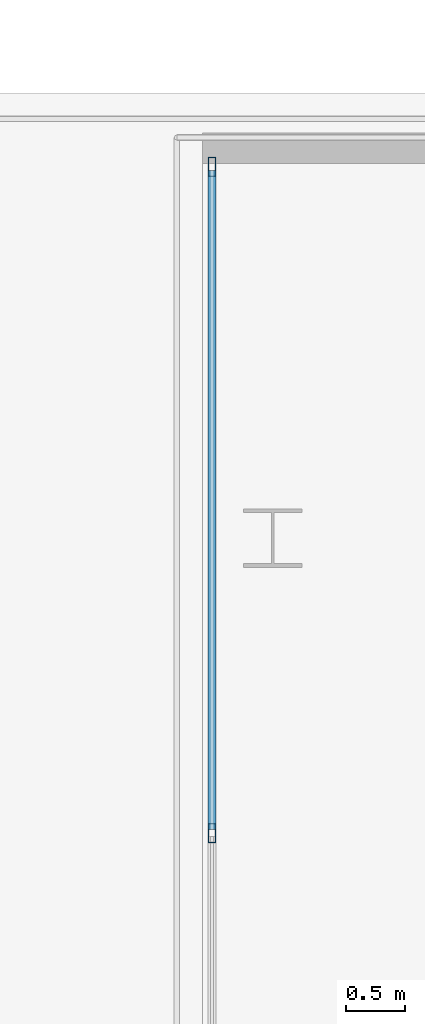
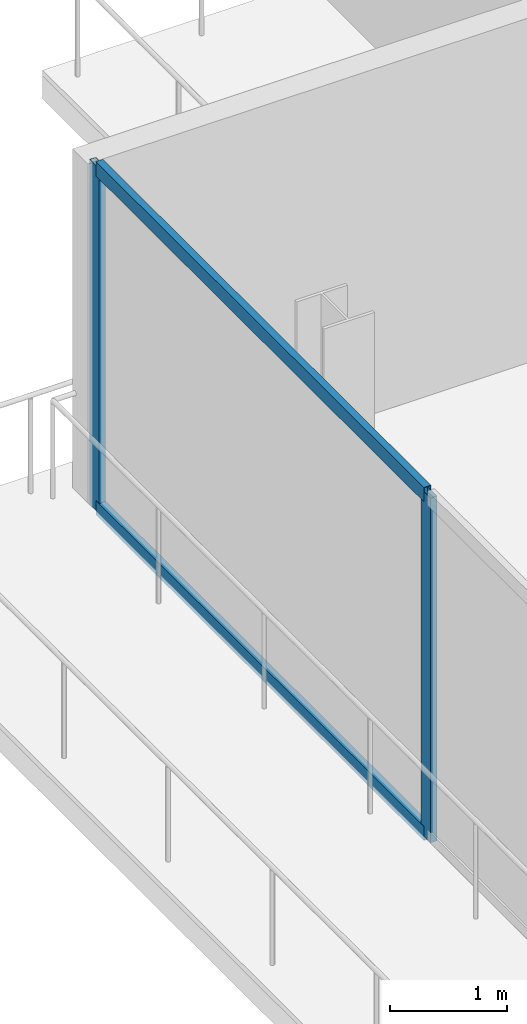
# One storey, part 12 of 21: 4 members, 1 element without a shape of its own.
"""IFC4 building model written with IfcOpenShell, lengths in metres."""

from ifc_helpers import new_model, si_unit, direction, frame, origin, origin_2d, place, context, subcontext, project, spatial, hollow_rectangle, extrude, material, layer, layer_set, material_profile, profile_set, type_object, element, aggregate, save


model = new_model("IFC4")

# Units and contexts
model_context = context("Model", 3, precision=1e-05, world=origin(), true_north=direction((0.0, 1.0)))
body_context = subcontext(model_context, "Body", "Model", "MODEL_VIEW")
ifc_project = project(units=[si_unit("LENGTHUNIT", "METRE"), si_unit("AREAUNIT", "SQUARE_METRE"), si_unit("VOLUMEUNIT", "CUBIC_METRE"), si_unit("PLANEANGLEUNIT", "RADIAN"), si_unit("MASSUNIT", "GRAM", prefix="KILO")], contexts=[model_context])

# Site, building, storey
site_placement = place(None, origin())
site = spatial("IfcSite", under=ifc_project, at=site_placement, CompositionType="ELEMENT")
building_placement = place(site_placement, origin())
building = spatial("IfcBuilding", under=site, at=building_placement, Name="Maruvema Waterfront Hotel and Observation Tower", CompositionType="ELEMENT")
storey_placement = place(building_placement, frame((0.0, 0.0, 322.0)))
storey = spatial("IfcBuildingStorey", under=building, at=storey_placement, Name="L79", CompositionType="ELEMENT", Elevation=322.0)

# Curtain wall, members
ifc_material_1 = material(Name="Anodised bronze aluminium and solar-control low-E IGU", Category="aluminium")
ifc_layer = layer(ifc_material_1, 0.159912109375, Name="Zone 4 Sky Residence Inner Curtain Wall System CW-05")
ifc_layer_set = layer_set([ifc_layer], Name="Anodised bronze aluminium and solar-control low-E IGU")
curtain_wall_type = type_object("IfcCurtainWallType", Name="Zone 4 Sky Residence Inner Curtain Wall System CW-05", PredefinedType="USERDEFINED", material=ifc_layer_set)
curtain_wall_placement = place(storey_placement, origin())
curtain_wall = element("IfcCurtainWall", 1, at=curtain_wall_placement, inside=storey, type_object=curtain_wall_type, Name="L79 Curtain Wall CW-L79-W", ObjectType="UNITISED CURTAIN WALL", PredefinedType="USERDEFINED")
ifc_material_2 = material(Name="Anodised architectural bronze aluminium", Category="aluminium")
ifc_material_profile_1 = material_profile(ifc_material_2, hollow_rectangle(XDim=0.070068359375, YDim=0.14990234375, WallThickness=0.00390625, at=origin_2d()), Name="ALU-T70x150")
ifc_profile_set_1 = profile_set([ifc_material_profile_1], Name="Anodised architectural bronze aluminium")
member_type_1 = type_object("IfcMemberType", Name="Curtain Wall Horizontal Transom ALU-T70x150", PredefinedType="USERDEFINED", material=ifc_profile_set_1)
member_1_placement = place(storey_placement, frame((17.780029296875, 48.139892578125, 0.030029296875), z_axis=(0.0, -1.0, 0.0), x_axis=(1.0, 0.0, 0.0)))
member_1 = element("IfcMember", 2, at=member_1_placement, type_object=member_type_1, Name="CW-05 transom 1.1", ObjectType="TRANSOM", PredefinedType="USERDEFINED", context=body_context, shape_type="SweptSolid", body=[
    extrude(hollow_rectangle(XDim=0.070068359375, YDim=0.14990234375, WallThickness=0.00390625, at=origin_2d()), origin(), (0.0, 0.0, 1.0), 5.6298828125),
])
member_2_placement = place(storey_placement, frame((17.780029296875, 48.139892578125, 3.580078125), z_axis=(0.0, -1.0, 0.0), x_axis=(1.0, 0.0, 0.0)))
member_2 = element("IfcMember", 3, at=member_2_placement, type_object=member_type_1, Name="CW-05 transom 1.2", ObjectType="TRANSOM", PredefinedType="USERDEFINED", context=body_context, shape_type="SweptSolid", body=[
    extrude(hollow_rectangle(XDim=0.070068359375, YDim=0.14990234375, WallThickness=0.00390625, at=origin_2d()), origin(), (0.0, 0.0, 1.0), 5.6298828125),
])
ifc_material_3 = material(Name="Anodised architectural bronze aluminium", Category="aluminium")
ifc_material_profile_2 = material_profile(ifc_material_3, hollow_rectangle(XDim=0.06494140625, YDim=0.1650390625, WallThickness=0.00390625, at=origin_2d()), Name="ALU-M65x165")
ifc_profile_set_2 = profile_set([ifc_material_profile_2], Name="Anodised architectural bronze aluminium")
member_type_2 = type_object("IfcMemberType", Name="Curtain Wall Primary Mullion ALU-M65x165", PredefinedType="MULLION", material=ifc_profile_set_2)
member_3_placement = place(storey_placement, frame((17.780029296875, 48.169921875, 0.0), z_axis=(0.0, 0.0, 1.0), x_axis=(1.0, 0.0, 0.0)))
member_3 = element("IfcMember", 4, at=member_3_placement, type_object=member_type_2, Name="CW-05 mullion 1", PredefinedType="MULLION", context=body_context, shape_type="SweptSolid", body=[
    extrude(hollow_rectangle(XDim=0.06494140625, YDim=0.1650390625, WallThickness=0.00390625, at=origin_2d()), origin(), (0.0, 0.0, 1.0), 3.610107421875),
])
member_4_placement = place(storey_placement, frame((17.780029296875, 42.47998046875, 0.0), z_axis=(0.0, 0.0, 1.0), x_axis=(1.0, 0.0, 0.0)))
member_4 = element("IfcMember", 5, at=member_4_placement, type_object=member_type_2, Name="CW-05 mullion 2", PredefinedType="MULLION", context=body_context, shape_type="SweptSolid", body=[
    extrude(hollow_rectangle(XDim=0.06494140625, YDim=0.1650390625, WallThickness=0.00390625, at=origin_2d()), origin(), (0.0, 0.0, 1.0), 3.610107421875),
])
aggregate(curtain_wall, [member_3, member_4, member_1, member_2])

save(model, "model.ifc")
